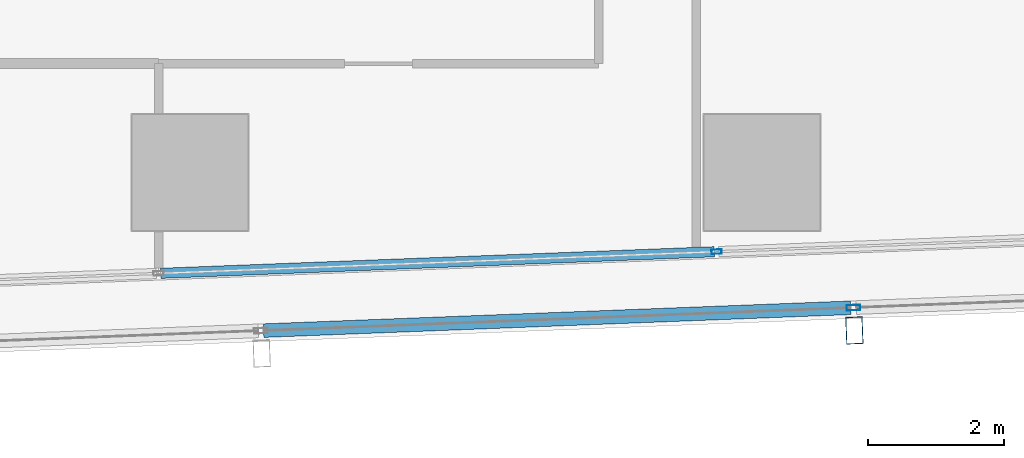
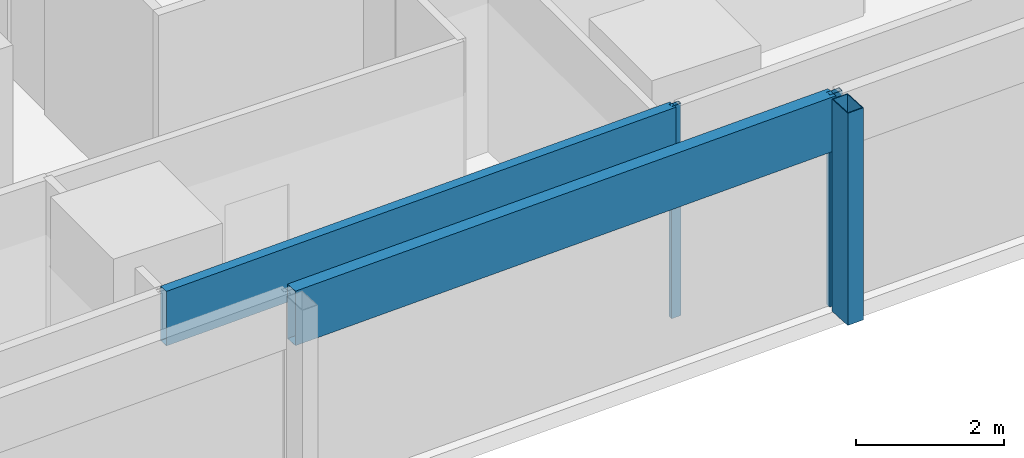
# One storey, part 11 of 40: 5 members, 2 elements without a shape of their own.
"""IFC4 building model written with IfcOpenShell, lengths in metres."""

from ifc_helpers import new_model, si_unit, direction, frame, origin, origin_2d, place, context, subcontext, project, spatial, hollow_rectangle, extrude, material, material_profile, profile_set, type_object, element, aggregate, save


model = new_model("IFC4")

# Units and contexts
model_context = context("Model", 3, precision=1e-05, world=origin(), true_north=direction((0.0, 1.0)))
body_context = subcontext(model_context, "Body", "Model", "MODEL_VIEW")
ifc_project = project(units=[si_unit("LENGTHUNIT", "METRE"), si_unit("AREAUNIT", "SQUARE_METRE"), si_unit("VOLUMEUNIT", "CUBIC_METRE"), si_unit("PLANEANGLEUNIT", "RADIAN"), si_unit("MASSUNIT", "GRAM", prefix="KILO")], contexts=[model_context])

# Site, building, storey
site_placement = place(None, origin())
site = spatial("IfcSite", under=ifc_project, at=site_placement, CompositionType="ELEMENT")
building_placement = place(site_placement, origin())
building = spatial("IfcBuilding", under=site, at=building_placement, Name="Rekha Terrace Tower", CompositionType="ELEMENT")
storey_placement = place(building_placement, frame((0.0, 0.0, 106.550048828125)))
storey = spatial("IfcBuildingStorey", under=building, at=storey_placement, Name="L26", CompositionType="ELEMENT", Elevation=106.550048828125)

# Curtain wall, member
ifc_material_1 = material(Name="Aluminium framing", Category="aluminium")
curtain_wall_type_1 = type_object("IfcCurtainWallType", Name="CW2 double skin outer glazing", PredefinedType="USERDEFINED", material=ifc_material_1)
curtain_wall_1_placement = place(storey_placement, origin())
curtain_wall_1 = element("IfcCurtainWall", 1, at=curtain_wall_1_placement, inside=storey, type_object=curtain_wall_type_1, Name="CW2 double skin outer glazing", ObjectType="DOUBLE SKIN OUTER GLAZING", PredefinedType="USERDEFINED")
ifc_material_2 = material(Name="Steel S355 with fluorocarbon finish", Category="steel")
ifc_material_profile_1 = material_profile(ifc_material_2, hollow_rectangle(XDim=0.25, YDim=0.39990234375, WallThickness=0.012451171875, at=origin_2d()), Name="RHS400x250x12.5")
ifc_profile_set_1 = profile_set([ifc_material_profile_1], Name="Steel S355 with fluorocarbon finish")
member_type_1 = type_object("IfcMemberType", Name="BL1 facade blade RHS 400 x 250", PredefinedType="USERDEFINED", material=ifc_profile_set_1)
member_1_placement = place(storey_placement, frame((60.1572265625, 14.480712890625, 0.0), z_axis=(0.0, 0.0, 1.0), x_axis=(0.999243494356, 0.038890088543, 0.0)))
member_1 = element("IfcMember", 2, at=member_1_placement, type_object=member_type_1, Name="Facade blade", ObjectType="FACADE BLADE", PredefinedType="USERDEFINED", context=body_context, shape_type="SweptSolid", body=[
    extrude(hollow_rectangle(XDim=0.25, YDim=0.39990234375, WallThickness=0.012451171875, at=origin_2d()), origin(), (0.0, 0.0, 1.0), 3.5),
])

# Curtain wall, members
curtain_wall_type_2 = type_object("IfcCurtainWallType", Name="CW1 double skin inner glazing", PredefinedType="USERDEFINED", material=ifc_material_1)
curtain_wall_2_placement = place(storey_placement, origin())
curtain_wall_2 = element("IfcCurtainWall", 3, at=curtain_wall_2_placement, inside=storey, type_object=curtain_wall_type_2, Name="CW1 double skin inner glazing", ObjectType="DOUBLE SKIN INNER GLAZING", PredefinedType="USERDEFINED")
ifc_material_3 = material(Name="Aluminium mullion section", Category="aluminium")
ifc_material_profile_2 = material_profile(ifc_material_3, hollow_rectangle(XDim=0.06494140625, YDim=0.14990234375, WallThickness=0.00390625, at=origin_2d()), Name="AL RHS 65x150")
ifc_profile_set_2 = profile_set([ifc_material_profile_2], Name="Aluminium mullion section")
member_type_2 = type_object("IfcMemberType", Name="CW1 mullion RHS 65 x 150", PredefinedType="MULLION", material=ifc_profile_set_2)
member_2_placement = place(storey_placement, frame((58.13330078125, 15.637939453125, 0.0), z_axis=(0.0, 0.0, 1.0), x_axis=(-0.038889971345, 0.999243498917, 0.0)))
member_2 = element("IfcMember", 4, at=member_2_placement, type_object=member_type_2, Name="CW1 mullion 5", PredefinedType="MULLION", context=body_context, shape_type="SweptSolid", body=[
    extrude(hollow_rectangle(XDim=0.06494140625, YDim=0.14990234375, WallThickness=0.00390625, at=origin_2d()), origin(), (0.0, 0.0, 1.0), 3.5),
])
ifc_material_4 = material(Name="Insulated aluminium spandrel box", Category="aluminium")
ifc_material_profile_3 = material_profile(ifc_material_4, hollow_rectangle(XDim=0.14990234375, YDim=0.89990234375, WallThickness=0.0029296875, at=origin_2d()), Name="AL SPANDREL BOX 150x900")
ifc_profile_set_3 = profile_set([ifc_material_profile_3], Name="Insulated aluminium spandrel box")
member_type_3 = type_object("IfcMemberType", Name="CW1 spandrel transom 150 x 900", PredefinedType="USERDEFINED", material=ifc_profile_set_3)
member_3_placement = place(storey_placement, frame((49.96923828125, 15.320068359375, 3.050048828125), z_axis=(0.999242669674, 0.038911272182, 0.0), x_axis=(-0.038911272182, 0.999242669674, 0.0)))
member_3 = element("IfcMember", 5, at=member_3_placement, type_object=member_type_3, Name="CW1 spandrel transom 4", ObjectType="TRANSOM", PredefinedType="USERDEFINED", context=body_context, shape_type="SweptSolid", body=[
    extrude(hollow_rectangle(XDim=0.14990234375, YDim=0.89990234375, WallThickness=0.0029296875, at=origin_2d()), origin(), (0.0, 0.0, 1.0), 8.1376953125),
])
aggregate(curtain_wall_2, [member_2, member_3])

# Member
ifc_material_profile_4 = material_profile(ifc_material_3, hollow_rectangle(XDim=0.080078125, YDim=0.199951171875, WallThickness=0.00390625, at=origin_2d()), Name="AL RHS 80x200")
ifc_profile_set_4 = profile_set([ifc_material_profile_4], Name="Aluminium mullion section")
member_type_4 = type_object("IfcMemberType", Name="CW2 mullion RHS 80 x 200", PredefinedType="MULLION", material=ifc_profile_set_4)
member_4_placement = place(storey_placement, frame((60.14404296875, 14.8154296875, 0.0), z_axis=(0.0, 0.0, 1.0), x_axis=(-0.038889971345, 0.999243498917, 0.0)))
member_4 = element("IfcMember", 6, at=member_4_placement, type_object=member_type_4, Name="CW2 mullion 5", PredefinedType="MULLION", context=body_context, shape_type="SweptSolid", body=[
    extrude(hollow_rectangle(XDim=0.080078125, YDim=0.199951171875, WallThickness=0.00390625, at=origin_2d()), origin(), (0.0, 0.0, 1.0), 3.5),
])

ifc_material_profile_5 = material_profile(ifc_material_4, hollow_rectangle(XDim=0.199951171875, YDim=0.89990234375, WallThickness=0.0029296875, at=origin_2d()), Name="AL SPANDREL BOX 200x900")
ifc_profile_set_5 = profile_set([ifc_material_profile_5], Name="Insulated aluminium spandrel box")
member_type_5 = type_object("IfcMemberType", Name="CW2 spandrel transom 200 x 900", PredefinedType="USERDEFINED", material=ifc_profile_set_5)
member_5_placement = place(storey_placement, frame((51.47900390625, 14.478271484375, 3.050048828125), z_axis=(0.999243481303, 0.038890423923, 0.0), x_axis=(-0.038890423923, 0.999243481303, 0.0)))
member_5 = element("IfcMember", 7, at=member_5_placement, type_object=member_type_5, Name="CW2 spandrel transom 4", ObjectType="TRANSOM", PredefinedType="USERDEFINED", context=body_context, shape_type="SweptSolid", body=[
    extrude(hollow_rectangle(XDim=0.199951171875, YDim=0.89990234375, WallThickness=0.0029296875, at=origin_2d()), origin(), (0.0, 0.0, 1.0), 8.6318359375),
])

aggregate(curtain_wall_1, [member_4, member_5, member_1])

save(model, "model.ifc")
